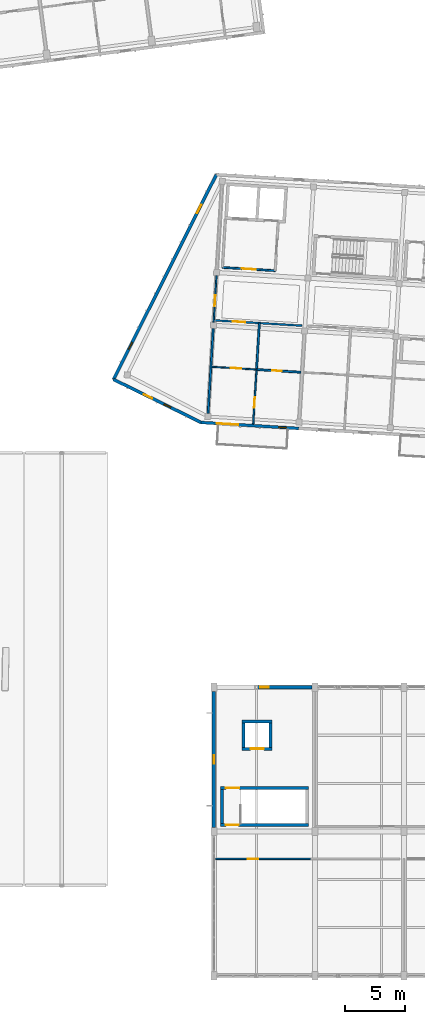
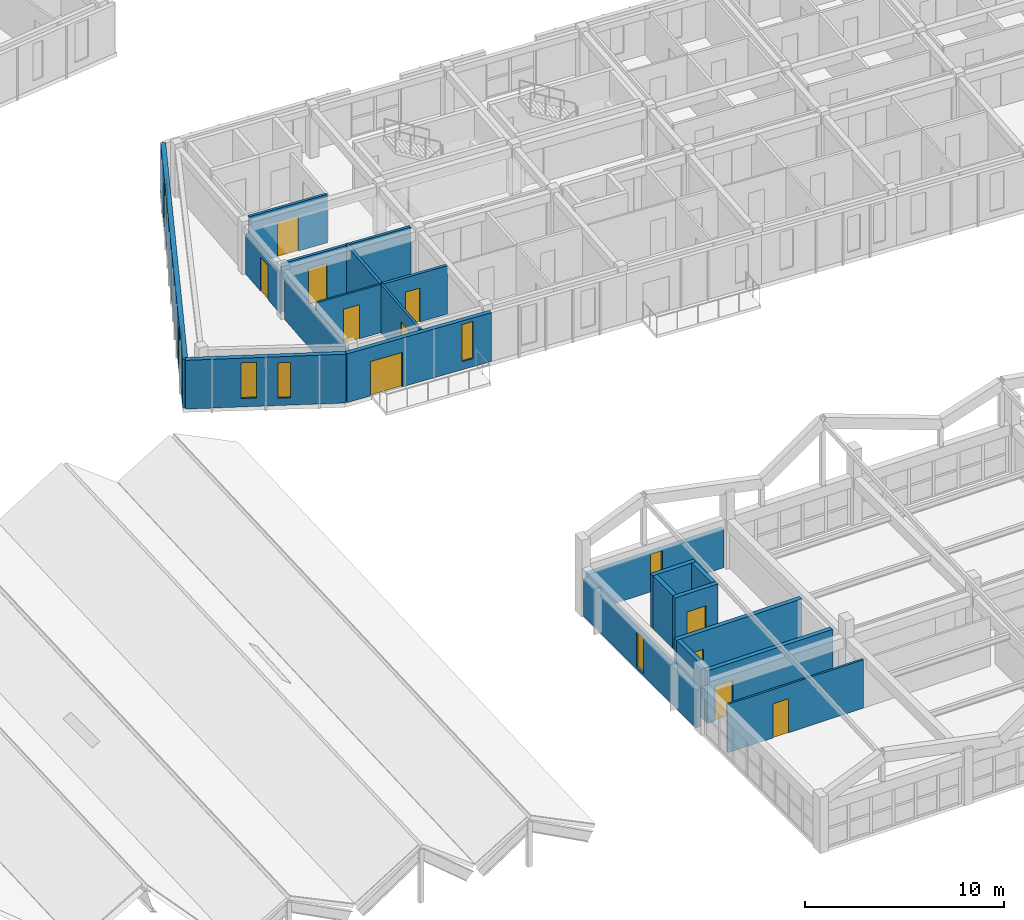
# One storey, part 72 of 127: 21 walls, 11 doors, 7 windows, 18 openings.
"""IFC4 building model written with IfcOpenShell, lengths in metres."""

from ifc_helpers import new_model, si_unit, direction, frame, frame_2d, origin, place, context, subcontext, project, spatial, rectangle, extrude, material, layer, layer_set, type_object, element, fill, save


model = new_model("IFC4")

# Units and contexts
model_context = context("Model", 3, precision=1e-05, world=origin(), true_north=direction((0.0, 1.0)))
body_context = subcontext(model_context, "Body", "Model", "MODEL_VIEW")
ifc_project = project(units=[si_unit("LENGTHUNIT", "METRE"), si_unit("AREAUNIT", "SQUARE_METRE"), si_unit("VOLUMEUNIT", "CUBIC_METRE"), si_unit("PLANEANGLEUNIT", "RADIAN"), si_unit("MASSUNIT", "GRAM", prefix="KILO")], contexts=[model_context])

# Site, building, storey
site_placement = place(None, origin())
site = spatial("IfcSite", under=ifc_project, at=site_placement, CompositionType="ELEMENT")
building_placement = place(site_placement, origin())
building = spatial("IfcBuilding", under=site, at=building_placement, Name="Kestramere Prow Commons", CompositionType="ELEMENT")
storey_placement = place(building_placement, frame((0.0, 0.0, 8.39990234375)))
storey = spatial("IfcBuildingStorey", under=building, at=storey_placement, Name="L02", CompositionType="ELEMENT", Elevation=8.39990234375)

# Wall, opening, window
ifc_material_1 = material(Name="Precast concrete C40/50", Category="concrete")
ifc_layer_1 = layer(ifc_material_1, 0.280029296875)
ifc_layer_set_1 = layer_set([ifc_layer_1], Name="Precast concrete C40/50")
wall_type_1 = type_object("IfcWallType", Name="EW-CIVIC-280", PredefinedType="SOLIDWALL", material=ifc_layer_set_1)
wall_1_placement = place(storey_placement, frame((60.25, 24.0, 0.0), z_axis=(0.0, 0.0, 1.0), x_axis=(1.0, 0.0, 0.0)))
wall_1 = element("IfcWall", 1, at=wall_1_placement, inside=storey, type_object=wall_type_1, Name="Market L02 Core Wall 1", PredefinedType="SOLIDWALL", context=body_context, shape_type="SweptSolid", body=[
    extrude(rectangle(XDim=7.89990234375, YDim=0.280029296875, at=frame_2d((3.949951171875, 0.0))), origin(), (0.0, 0.0, 1.0), 2.340087890625),
])
opening_1_placement = place(wall_1_placement, frame((3.60009765625, 0.0, 0.159912109375)))
opening_1 = element("IfcOpeningElement", 2, at=opening_1_placement, cuts=wall_1, Name="Opening WN-16", PredefinedType="OPENING", context=body_context, shape_type="SweptSolid", body=[
    extrude(rectangle(XDim=0.699951171875, YDim=2.139892578125, at=frame_2d((0.35009765625, 1.06982421875))), frame((0.0, 0.155029296875, 0.0), z_axis=(0.0, -1.0, 0.0), x_axis=(1.0, 0.0, 0.0)), (0.0, 0.0, 1.0), 0.31005859375),
])
ifc_material_2 = material(Name="Low-E Laminated Double Glazing", Category="glass")
window_type_1 = type_object("IfcWindowType", Name="WN-CIV-700", PartitioningType="SINGLE_PANEL", PredefinedType="WINDOW", material=ifc_material_2)
window_1_placement = place(opening_1_placement, origin())
window_1 = element("IfcWindow", 3, at=window_1_placement, inside=storey, type_object=window_type_1, Name="WN-MK-L02-N-0", OverallHeight=2.139892578125, OverallWidth=0.699951171875, PartitioningType="SINGLE_PANEL", PredefinedType="WINDOW", context=body_context, shape_type="SweptSolid", body=[
    extrude(rectangle(XDim=0.699951171875, YDim=2.139892578125, at=frame_2d((0.35009765625, 1.06982421875))), frame((0.0, 0.030029296875, 0.0), z_axis=(0.0, -1.0, 0.0), x_axis=(1.0, 0.0, 0.0)), (0.0, 0.0, 1.0), 0.06005859375),
])
fill(opening_1, window_1)

wall_2_placement = place(storey_placement, frame((60.0, 12.35009765625, 0.0), z_axis=(0.0, 0.0, 1.0), x_axis=(0.0, 1.0, 0.0)))
wall_2 = element("IfcWall", 4, at=wall_2_placement, inside=storey, type_object=wall_type_1, Name="Market L02 W End Wall 2", PredefinedType="SOLIDWALL", context=body_context, shape_type="SweptSolid", body=[
    extrude(rectangle(XDim=11.2998046875, YDim=0.280029296875, at=frame_2d((5.64990234375, 0.0))), origin(), (0.0, 0.0, 1.0), 2.340087890625),
])
opening_2_placement = place(wall_2_placement, frame((5.300048828125, 0.0, 0.159912109375)))
opening_2 = element("IfcOpeningElement", 5, at=opening_2_placement, cuts=wall_2, Name="Opening WN-16", PredefinedType="OPENING", context=body_context, shape_type="SweptSolid", body=[
    extrude(rectangle(XDim=0.699951171875, YDim=2.139892578125, at=frame_2d((0.35009765625, 1.06982421875))), frame((0.0, 0.155029296875, 0.0), z_axis=(0.0, -1.0, 0.0), x_axis=(1.0, 0.0, 0.0)), (0.0, 0.0, 1.0), 0.31005859375),
])
window_2_placement = place(opening_2_placement, origin())
window_2 = element("IfcWindow", 6, at=window_2_placement, inside=storey, type_object=window_type_1, Name="WN-MK-L02-W-1", OverallHeight=2.139892578125, OverallWidth=0.699951171875, PartitioningType="SINGLE_PANEL", PredefinedType="WINDOW", context=body_context, shape_type="SweptSolid", body=[
    extrude(rectangle(XDim=0.699951171875, YDim=2.139892578125, at=frame_2d((0.35009765625, 1.06982421875))), frame((0.0, 0.030029296875, 0.0), z_axis=(0.0, -1.0, 0.0), x_axis=(1.0, 0.0, 0.0)), (0.0, 0.0, 1.0), 0.06005859375),
])
fill(opening_2, window_2)

# Wall, openings, windows
ifc_material_3 = material(Name="Weathered Zinc-Titanium Standing-Seam Cladding")
ifc_layer_2 = layer(ifc_material_3, 0.260009765625)
ifc_layer_set_2 = layer_set([ifc_layer_2], Name="Weathered Zinc-Titanium Standing-Seam Cladding")
wall_type_2 = type_object("IfcWallType", Name="EW-PROW-260", PredefinedType="SOLIDWALL", material=ifc_layer_set_2)
wall_3_placement = place(storey_placement, frame((58.94384765625, 46.008056640625, 0.0), z_axis=(0.0, 0.0, 1.0), x_axis=(-0.897775054318, 0.440454256246, 0.0)))
wall_3 = element("IfcWall", 7, at=wall_3_placement, inside=storey, type_object=wall_type_2, Name="Block C L02 PRW-S Facet Wall", PredefinedType="SOLIDWALL", context=body_context, shape_type="SweptSolid", body=[
    extrude(rectangle(XDim=8.120361328125, YDim=0.260009765625, at=frame_2d((4.06005859375, 0.0))), origin(), (0.0, 0.0, 1.0), 3.0),
])
opening_3_placement = place(wall_3_placement, frame((2.81005859375, 0.0, 0.449951171875)))
opening_3 = element("IfcOpeningElement", 8, at=opening_3_placement, cuts=wall_3, Name="Opening WN-04", PredefinedType="OPENING", context=body_context, shape_type="SweptSolid", body=[
    extrude(rectangle(XDim=0.639892578125, YDim=2.179931640625, at=frame_2d((0.31982421875, 1.08984375))), frame((0.0, 0.14501953125, 0.0), z_axis=(0.0, -1.0, 0.0), x_axis=(1.0, 0.0, 0.0)), (0.0, 0.0, 1.0), 0.2900390625),
])
opening_4_placement = place(wall_3_placement, frame((4.530517578125, 0.0, 0.52001953125)))
opening_4 = element("IfcOpeningElement", 9, at=opening_4_placement, cuts=wall_3, Name="Opening WN-11", PredefinedType="OPENING", context=body_context, shape_type="SweptSolid", body=[
    extrude(rectangle(XDim=0.780029296875, YDim=2.199951171875, at=frame_2d((0.39013671875, 1.10009765625))), frame((0.0, 0.14501953125, 0.0), z_axis=(0.0, -1.0, 0.0), x_axis=(1.0, 0.0, 0.0)), (0.0, 0.0, 1.0), 0.2900390625),
])
window_type_2 = type_object("IfcWindowType", Name="WN-NAR-640A", PartitioningType="SINGLE_PANEL", PredefinedType="WINDOW", material=ifc_material_2)
window_3_placement = place(opening_3_placement, origin())
window_3 = element("IfcWindow", 10, at=window_3_placement, inside=storey, type_object=window_type_2, Name="WN-C-L02-PRW-S-0", OverallHeight=2.179931640625, OverallWidth=0.639892578125, PartitioningType="SINGLE_PANEL", PredefinedType="WINDOW", context=body_context, shape_type="SweptSolid", body=[
    extrude(rectangle(XDim=0.639892578125, YDim=2.179931640625, at=frame_2d((0.31982421875, 1.08984375))), frame((0.0, 0.030029296875, 0.0), z_axis=(0.0, -1.0, 0.0), x_axis=(1.0, 0.0, 0.0)), (0.0, 0.0, 1.0), 0.06005859375),
])
fill(opening_3, window_3)
window_type_3 = type_object("IfcWindowType", Name="WN-NAR-780A", PartitioningType="SINGLE_PANEL", PredefinedType="WINDOW", material=ifc_material_2)
window_4_placement = place(opening_4_placement, origin())
window_4 = element("IfcWindow", 11, at=window_4_placement, inside=storey, type_object=window_type_3, Name="WN-C-L02-PRW-S-1", OverallHeight=2.199951171875, OverallWidth=0.780029296875, PartitioningType="SINGLE_PANEL", PredefinedType="WINDOW", context=body_context, shape_type="SweptSolid", body=[
    extrude(rectangle(XDim=0.780029296875, YDim=2.199951171875, at=frame_2d((0.39013671875, 1.10009765625))), frame((0.0, 0.030029296875, 0.0), z_axis=(0.0, -1.0, 0.0), x_axis=(1.0, 0.0, 0.0)), (0.0, 0.0, 1.0), 0.06005859375),
])
fill(opening_4, window_4)

wall_4_placement = place(storey_placement, frame((51.653564453125, 49.584716796875, 0.0), z_axis=(0.0, 0.0, 1.0), x_axis=(0.448621989068, 0.893721607059, 0.0)))
wall_4 = element("IfcWall", 12, at=wall_4_placement, inside=storey, type_object=wall_type_2, Name="Block C L02 PRW-N Facet Wall", PredefinedType="SOLIDWALL", context=body_context, shape_type="SweptSolid", body=[
    extrude(rectangle(XDim=19.060546875, YDim=0.260009765625, at=frame_2d((9.5302734375, 0.0))), origin(), (0.0, 0.0, 1.0), 3.0),
])
opening_5_placement = place(wall_4_placement, frame((2.81005859375, 0.0, 0.449951171875)))
opening_5 = element("IfcOpeningElement", 13, at=opening_5_placement, cuts=wall_4, Name="Opening WN-04", PredefinedType="OPENING", context=body_context, shape_type="SweptSolid", body=[
    extrude(rectangle(XDim=0.639892578125, YDim=2.179931640625, at=frame_2d((0.31982421875, 1.08984375))), frame((0.0, 0.14501953125, 0.0), z_axis=(0.0, -1.0, 0.0), x_axis=(1.0, 0.0, 0.0)), (0.0, 0.0, 1.0), 0.2900390625),
])
opening_6_placement = place(wall_4_placement, frame((15.470458984375, 0.0, 0.52001953125)))
opening_6 = element("IfcOpeningElement", 14, at=opening_6_placement, cuts=wall_4, Name="Opening WN-11", PredefinedType="OPENING", context=body_context, shape_type="SweptSolid", body=[
    extrude(rectangle(XDim=0.780029296875, YDim=2.199951171875, at=frame_2d((0.39013671875, 1.10009765625))), frame((0.0, 0.14501953125, 0.0), z_axis=(0.0, -1.0, 0.0), x_axis=(1.0, 0.0, 0.0)), (0.0, 0.0, 1.0), 0.2900390625),
])
window_5_placement = place(opening_5_placement, origin())
window_5 = element("IfcWindow", 15, at=window_5_placement, inside=storey, type_object=window_type_2, Name="WN-C-L02-PRW-N-0", OverallHeight=2.179931640625, OverallWidth=0.639892578125, PartitioningType="SINGLE_PANEL", PredefinedType="WINDOW", context=body_context, shape_type="SweptSolid", body=[
    extrude(rectangle(XDim=0.639892578125, YDim=2.179931640625, at=frame_2d((0.31982421875, 1.08984375))), frame((0.0, 0.030029296875, 0.0), z_axis=(0.0, -1.0, 0.0), x_axis=(1.0, 0.0, 0.0)), (0.0, 0.0, 1.0), 0.06005859375),
])
fill(opening_5, window_5)
window_6_placement = place(opening_6_placement, origin())
window_6 = element("IfcWindow", 16, at=window_6_placement, inside=storey, type_object=window_type_3, Name="WN-C-L02-PRW-N-1", OverallHeight=2.199951171875, OverallWidth=0.780029296875, PartitioningType="SINGLE_PANEL", PredefinedType="WINDOW", context=body_context, shape_type="SweptSolid", body=[
    extrude(rectangle(XDim=0.780029296875, YDim=2.199951171875, at=frame_2d((0.39013671875, 1.10009765625))), frame((0.0, 0.030029296875, 0.0), z_axis=(0.0, -1.0, 0.0), x_axis=(1.0, 0.0, 0.0)), (0.0, 0.0, 1.0), 0.06005859375),
])
fill(opening_6, window_6)

# Wall, openings, door, window
ifc_material_4 = material(Name="Fluoropolymer Standing-Seam Zinc-Aluminium Cladding", Category="aluminium")
ifc_layer_3 = layer(ifc_material_4, 0.239990234375)
ifc_layer_set_3 = layer_set([ifc_layer_3], Name="Fluoropolymer Standing-Seam Zinc-Aluminium Cladding")
wall_type_3 = type_object("IfcWallType", Name="EW-SEAM-240", PredefinedType="SOLIDWALL", material=ifc_layer_set_3)
wall_5_placement = place(storey_placement, frame((67.0537109375, 45.511962890625, 0.0), z_axis=(0.0, 0.0, 1.0), x_axis=(-0.998134248939, 0.061057522844, 0.0)))
wall_5 = element("IfcWall", 17, at=wall_5_placement, inside=storey, type_object=wall_type_3, Name="Block C L02 South Standing-Seam Wall 1", PredefinedType="SOLIDWALL", context=body_context, shape_type="SweptSolid", body=[
    extrude(rectangle(XDim=8.125, YDim=0.239990234375, at=frame_2d((4.0625, 0.0))), origin(), (0.0, 0.0, 1.0), 3.0),
])
opening_7_placement = place(wall_5_placement, frame((5.01904296875, 0.0, 0.0)))
opening_7 = element("IfcOpeningElement", 18, at=opening_7_placement, cuts=wall_5, Name="Opening GD-BAL-02", PredefinedType="OPENING", context=body_context, shape_type="SweptSolid", body=[
    extrude(rectangle(XDim=1.800048828125, YDim=2.1201171875, at=frame_2d((0.89990234375, 1.06005859375))), frame((0.0, 0.135009765625, 0.0), z_axis=(0.0, -1.0, 0.0), x_axis=(1.0, 0.0, 0.0)), (0.0, 0.0, 1.0), 0.27001953125),
])
opening_8_placement = place(wall_5_placement, frame((1.030029296875, 0.0, 0.5)))
opening_8 = element("IfcOpeningElement", 19, at=opening_8_placement, cuts=wall_5, Name="Opening WN-03", PredefinedType="OPENING", context=body_context, shape_type="SweptSolid", body=[
    extrude(rectangle(XDim=0.6201171875, YDim=2.280029296875, at=frame_2d((0.31005859375, 1.14013671875))), frame((0.0, 0.135009765625, 0.0), z_axis=(0.0, -1.0, 0.0), x_axis=(1.0, 0.0, 0.0)), (0.0, 0.0, 1.0), 0.27001953125),
])
ifc_material_5 = material(Name="Thermally-Broken Anodised Aluminium Glazed", Category="aluminium")
door_type_1 = type_object("IfcDoorType", Name="GD-BAL-1800", OperationType="SLIDING_TO_LEFT", PredefinedType="DOOR", material=ifc_material_5)
door_1_placement = place(opening_7_placement, origin())
door_1 = element("IfcDoor", 20, at=door_1_placement, inside=storey, type_object=door_type_1, Name="Block C L02 Balcony Door 1", OperationType="SLIDING_TO_LEFT", OverallHeight=2.1201171875, OverallWidth=1.800048828125, PredefinedType="DOOR", context=body_context, shape_type="SweptSolid", body=[
    extrude(rectangle(XDim=1.800048828125, YDim=2.1201171875, at=frame_2d((0.89990234375, 1.06005859375))), frame((0.0, 0.02490234375, 0.0), z_axis=(0.0, -1.0, 0.0), x_axis=(1.0, 0.0, 0.0)), (0.0, 0.0, 1.0), 0.050048828125),
])
fill(opening_7, door_1)
window_type_4 = type_object("IfcWindowType", Name="WN-NAR-620A", PartitioningType="SINGLE_PANEL", PredefinedType="WINDOW", material=ifc_material_2)
window_7_placement = place(opening_8_placement, origin())
window_7 = element("IfcWindow", 21, at=window_7_placement, inside=storey, type_object=window_type_4, Name="WN-C-L02-SR-0", OverallHeight=2.280029296875, OverallWidth=0.6201171875, PartitioningType="SINGLE_PANEL", PredefinedType="WINDOW", context=body_context, shape_type="SweptSolid", body=[
    extrude(rectangle(XDim=0.6201171875, YDim=2.280029296875, at=frame_2d((0.31005859375, 1.14013671875))), frame((0.0, 0.030029296875, 0.0), z_axis=(0.0, -1.0, 0.0), x_axis=(1.0, 0.0, 0.0)), (0.0, 0.0, 1.0), 0.06005859375),
])
fill(opening_8, window_7)

# Wall, opening, door
ifc_material_6 = material(Name="Concrete C40/50", Category="concrete")
ifc_layer_4 = layer(ifc_material_6, 0.25)
ifc_layer_set_4 = layer_set([ifc_layer_4], Name="Concrete C40/50")
wall_type_4 = type_object("IfcWallType", Name="W-CORE-250", PredefinedType="SHEAR", material=ifc_layer_set_4)
wall_6_placement = place(storey_placement, frame((60.550048828125, 12.52490234375, 0.0), z_axis=(0.0, 0.0, 1.0), x_axis=(1.0, 0.0, 0.0)))
wall_6 = element("IfcWall", 22, at=wall_6_placement, inside=storey, type_object=wall_type_4, Name="SW-ST-M1-L02-L", PredefinedType="SHEAR", context=body_context, shape_type="SweptSolid", body=[
    extrude(rectangle(XDim=7.300048828125, YDim=0.25, at=frame_2d((3.64990234375, 0.0))), origin(), (0.0, 0.0, 1.0), 3.25),
])
opening_9_placement = place(wall_6_placement, frame((0.449951171875, 0.0, 0.0)))
opening_9 = element("IfcOpeningElement", 23, at=opening_9_placement, cuts=wall_6, Name="Opening ID-01", PredefinedType="OPENING", context=body_context, shape_type="SweptSolid", body=[
    extrude(rectangle(XDim=1.050048828125, YDim=2.14990234375, at=frame_2d((0.52490234375, 1.074951171875))), frame((0.0, 0.139892578125, 0.0), z_axis=(0.0, -1.0, 0.0), x_axis=(1.0, 0.0, 0.0)), (0.0, 0.0, 1.0), 0.280029296875),
])
ifc_material_7 = material(Name="Fire-Rated Timber and Steel Frame", Category="steel")
door_type_2 = type_object("IfcDoorType", Name="FD-ST-01", OperationType="NOTDEFINED", PredefinedType="DOOR", material=ifc_material_7)
door_2_placement = place(opening_9_placement, origin())
door_2 = element("IfcDoor", 24, at=door_2_placement, inside=storey, type_object=door_type_2, Name="ST-M1 L02 Protected Stair Door", OperationType="SINGLE_SWING_RIGHT", OverallHeight=2.14990234375, OverallWidth=1.050048828125, PredefinedType="DOOR", context=body_context, shape_type="SweptSolid", body=[
    extrude(rectangle(XDim=1.050048828125, YDim=2.14990234375, at=frame_2d((0.52490234375, 1.074951171875))), frame((0.0, 0.02490234375, 0.0), z_axis=(0.0, -1.0, 0.0), x_axis=(1.0, 0.0, 0.0)), (0.0, 0.0, 1.0), 0.050048828125),
])
fill(opening_9, door_2)

wall_7_placement = place(storey_placement, frame((60.550048828125, 15.625, 0.0), z_axis=(0.0, 0.0, 1.0), x_axis=(1.0, 0.0, 0.0)))
wall_7 = element("IfcWall", 25, at=wall_7_placement, inside=storey, type_object=wall_type_4, Name="SW-ST-M1-L02-R", PredefinedType="SHEAR", context=body_context, shape_type="SweptSolid", body=[
    extrude(rectangle(XDim=7.300048828125, YDim=0.25, at=frame_2d((3.64990234375, 0.0))), origin(), (0.0, 0.0, 1.0), 3.25),
])
opening_10_placement = place(wall_7_placement, frame((0.449951171875, 0.0, 0.0)))
opening_10 = element("IfcOpeningElement", 26, at=opening_10_placement, cuts=wall_7, Name="Opening ID-02", PredefinedType="OPENING", context=body_context, shape_type="SweptSolid", body=[
    extrude(rectangle(XDim=1.1201171875, YDim=2.14990234375, at=frame_2d((0.56005859375, 1.074951171875))), frame((0.0, 0.139892578125, 0.0), z_axis=(0.0, -1.0, 0.0), x_axis=(1.0, 0.0, 0.0)), (0.0, 0.0, 1.0), 0.280029296875),
])
door_type_3 = type_object("IfcDoorType", Name="FD-ST-02", OperationType="NOTDEFINED", PredefinedType="DOOR", material=ifc_material_7)
door_3_placement = place(opening_10_placement, origin())
door_3 = element("IfcDoor", 27, at=door_3_placement, inside=storey, type_object=door_type_3, Name="ST-M1 L02 Lobby/Exit Stair Door", OperationType="SINGLE_SWING_RIGHT", OverallHeight=2.14990234375, OverallWidth=1.1201171875, PredefinedType="DOOR", context=body_context, shape_type="SweptSolid", body=[
    extrude(rectangle(XDim=1.1201171875, YDim=2.14990234375, at=frame_2d((0.56005859375, 1.074951171875))), frame((0.0, 0.02490234375, 0.0), z_axis=(0.0, -1.0, 0.0), x_axis=(1.0, 0.0, 0.0)), (0.0, 0.0, 1.0), 0.050048828125),
])
fill(opening_10, door_3)

# Walls
wall_8_placement = place(storey_placement, frame((60.675048828125, 12.64990234375, 0.0), z_axis=(0.0, 0.0, 1.0), x_axis=(0.0, 1.0, 0.0)))
element("IfcWall", 28, at=wall_8_placement, inside=storey, type_object=wall_type_4, Name="SW-ST-M1-L02-N", PredefinedType="SHEAR", context=body_context, shape_type="SweptSolid", body=[
    extrude(rectangle(XDim=2.85009765625, YDim=0.25, at=frame_2d((1.425048828125, 0.0))), origin(), (0.0, 0.0, 1.0), 3.25),
])
wall_9_placement = place(storey_placement, frame((62.35009765625, 21.125, 0.0), z_axis=(0.0, 0.0, 1.0), x_axis=(1.0, 0.0, 0.0)))
element("IfcWall", 29, at=wall_9_placement, inside=storey, type_object=wall_type_4, Name="CW-PLS1-L02-N", PredefinedType="SHEAR", context=body_context, shape_type="SweptSolid", body=[
    extrude(rectangle(XDim=2.5, YDim=0.25, at=frame_2d((1.25, 0.0))), origin(), (0.0, 0.0, 1.0), 3.25),
])

# Wall, opening, door
wall_10_placement = place(storey_placement, frame((62.35009765625, 18.875, 0.0), z_axis=(0.0, 0.0, 1.0), x_axis=(1.0, 0.0, 0.0)))
wall_10 = element("IfcWall", 30, at=wall_10_placement, inside=storey, type_object=wall_type_4, Name="CW-PLS1-L02-S", PredefinedType="SHEAR", context=body_context, shape_type="SweptSolid", body=[
    extrude(rectangle(XDim=2.5, YDim=0.25, at=frame_2d((1.25, 0.0))), origin(), (0.0, 0.0, 1.0), 3.25),
])
opening_11_placement = place(wall_10_placement, frame((0.699951171875, 0.0, 0.0)))
opening_11 = element("IfcOpeningElement", 31, at=opening_11_placement, cuts=wall_10, Name="Opening LD-01", PredefinedType="OPENING", context=body_context, shape_type="SweptSolid", body=[
    extrude(rectangle(XDim=1.10009765625, YDim=2.14990234375, at=frame_2d((0.550048828125, 1.074951171875))), frame((0.0, 0.139892578125, 0.0), z_axis=(0.0, -1.0, 0.0), x_axis=(1.0, 0.0, 0.0)), (0.0, 0.0, 1.0), 0.280029296875),
])
ifc_material_8 = material(Name="Brushed Stainless Steel 304", Category="steel")
door_type_4 = type_object("IfcDoorType", Name="LD-01", OperationType="DOUBLE_DOOR_SLIDING", PredefinedType="DOOR", material=ifc_material_8)
door_4_placement = place(opening_11_placement, origin())
door_4 = element("IfcDoor", 32, at=door_4_placement, inside=storey, type_object=door_type_4, Name="PL-S1 L02 Lift Landing Door", OperationType="DOUBLE_DOOR_SLIDING", OverallHeight=2.14990234375, OverallWidth=1.10009765625, PredefinedType="DOOR", context=body_context, shape_type="SweptSolid", body=[
    extrude(rectangle(XDim=1.10009765625, YDim=2.14990234375, at=frame_2d((0.550048828125, 1.074951171875))), frame((0.0, 0.02490234375, 0.0), z_axis=(0.0, -1.0, 0.0), x_axis=(1.0, 0.0, 0.0)), (0.0, 0.0, 1.0), 0.050048828125),
])
fill(opening_11, door_4)

# Walls
for number, where, z_axis, x_axis, name in (
    (33, (62.47509765625, 19.0, 0.0), (0.0, 0.0, 1.0), (0.0, 1.0, 0.0), "CW-PLS1-L02-W"),
    (34, (64.72509765625, 19.0, 0.0), (0.0, 0.0, 1.0), (0.0, 1.0, 0.0), "CW-PLS1-L02-E"),
):
    element("IfcWall", number, at=place(storey_placement, frame(where, z_axis=z_axis, x_axis=x_axis)), inside=storey, type_object=wall_type_4, Name=name, PredefinedType="SHEAR", context=body_context, shape_type="SweptSolid", body=[
        extrude(rectangle(XDim=2.0, YDim=0.25, at=frame_2d((1.0, 0.0))), origin(), (0.0, 0.0, 1.0), 3.25),
    ])

# Wall, opening, door
ifc_material_9 = material(Name="Fire-Rated Calcium Silicate Wall")
ifc_layer_5 = layer(ifc_material_9, 0.155029296875)
ifc_layer_set_5 = layer_set([ifc_layer_5], Name="Fire-Rated Calcium Silicate Wall")
wall_type_5 = type_object("IfcWallType", Name="W-FIRE-150", PredefinedType="PARTITIONING", material=ifc_layer_set_5)
wall_11_placement = place(storey_placement, frame((60.709228515625, 58.8994140625, 0.0), z_axis=(0.0, 0.0, 1.0), x_axis=(0.998132276607, -0.061089756882, 0.0)))
wall_11 = element("IfcWall", 35, at=wall_11_placement, inside=storey, type_object=wall_type_5, Name="Interior Partition PW-C-L02-FFL-S", PredefinedType="PARTITIONING", context=body_context, shape_type="SweptSolid", body=[
    extrude(rectangle(XDim=4.400146484375, YDim=0.155029296875, at=frame_2d((2.2001953125, 0.0))), origin(), (0.0, 0.0, 1.0), 2.97021484375),
])
opening_12_placement = place(wall_11_placement, frame((1.60009765625, 0.0, 0.0)))
opening_12 = element("IfcOpeningElement", 36, at=opening_12_placement, cuts=wall_11, Name="Opening ID-03", PredefinedType="OPENING", context=body_context, shape_type="SweptSolid", body=[
    extrude(rectangle(XDim=1.179931640625, YDim=2.14990234375, at=frame_2d((0.58984375, 1.074951171875))), frame((0.0, 0.092529296875, 0.0), z_axis=(0.0, -1.0, 0.0), x_axis=(1.0, 0.0, 0.0)), (0.0, 0.0, 1.0), 0.18505859375),
])
ifc_material_10 = material(Name="Fire-Rated Glazed Smoke-Stop Door")
door_type_5 = type_object("IfcDoorType", Name="FD-LB-01", OperationType="NOTDEFINED", PredefinedType="DOOR", material=ifc_material_10)
door_5_placement = place(opening_12_placement, origin())
door_5 = element("IfcDoor", 37, at=door_5_placement, inside=storey, type_object=door_type_5, Name="Interior Door DR-C-L02-FFL", OperationType="SINGLE_SWING_LEFT", OverallHeight=2.14990234375, OverallWidth=1.179931640625, PredefinedType="DOOR", context=body_context, shape_type="SweptSolid", body=[
    extrude(rectangle(XDim=1.179931640625, YDim=2.14990234375, at=frame_2d((0.58984375, 1.074951171875))), frame((0.0, 0.02490234375, 0.0), z_axis=(0.0, -1.0, 0.0), x_axis=(1.0, 0.0, 0.0)), (0.0, 0.0, 1.0), 0.050048828125),
])
fill(opening_12, door_5)

wall_12_placement = place(storey_placement, frame((60.0595703125, 54.500732421875, 0.0), z_axis=(0.0, 0.0, 1.0), x_axis=(0.998134543433, -0.06105270843, 0.0)))
wall_12 = element("IfcWall", 38, at=wall_12_placement, inside=storey, type_object=wall_type_5, Name="Interior Partition PW-C-L02-CS-0", PredefinedType="PARTITIONING", context=body_context, shape_type="SweptSolid", body=[
    extrude(rectangle(XDim=7.27001953125, YDim=0.155029296875, at=frame_2d((3.635009765625, 0.0))), origin(), (0.0, 0.0, 1.0), 2.97021484375),
])
opening_13_placement = place(wall_12_placement, frame((1.52001953125, 0.0, 0.0)))
opening_13 = element("IfcOpeningElement", 39, at=opening_13_placement, cuts=wall_12, Name="Opening ID-05", PredefinedType="OPENING", context=body_context, shape_type="SweptSolid", body=[
    extrude(rectangle(XDim=1.02001953125, YDim=2.199951171875, at=frame_2d((0.510009765625, 1.10009765625))), frame((0.0, 0.092529296875, 0.0), z_axis=(0.0, -1.0, 0.0), x_axis=(1.0, 0.0, 0.0)), (0.0, 0.0, 1.0), 0.18505859375),
])
ifc_material_11 = material(Name="Hardwood Fire-Rated Flat Entrance Door", Category="wood")
door_type_6 = type_object("IfcDoorType", Name="FD-ENT-02", OperationType="NOTDEFINED", PredefinedType="DOOR", material=ifc_material_11)
door_6_placement = place(opening_13_placement, origin())
door_6 = element("IfcDoor", 40, at=door_6_placement, inside=storey, type_object=door_type_6, Name="Interior Door DR-C-L02-ENT-S0", OperationType="SINGLE_SWING_LEFT", OverallHeight=2.199951171875, OverallWidth=1.02001953125, PredefinedType="DOOR", context=body_context, shape_type="SweptSolid", body=[
    extrude(rectangle(XDim=1.02001953125, YDim=2.199951171875, at=frame_2d((0.510009765625, 1.10009765625))), frame((0.0, 0.02490234375, 0.0), z_axis=(0.0, -1.0, 0.0), x_axis=(1.0, 0.0, 0.0)), (0.0, 0.0, 1.0), 0.050048828125),
])
fill(opening_13, door_6)

ifc_material_12 = material(Name="Gypsum Acoustic Drywall")
ifc_layer_6 = layer(ifc_material_12, 0.110107421875)
ifc_layer_set_6 = layer_set([ifc_layer_6], Name="Gypsum Acoustic Drywall")
wall_type_6 = type_object("IfcWallType", Name="W-PART-110", PredefinedType="PARTITIONING", material=ifc_layer_set_6)
wall_13_placement = place(storey_placement, frame((59.84326171875, 50.63671875, 0.0), z_axis=(0.0, 0.0, 1.0), x_axis=(0.998133408508, -0.061071260176, 0.0)))
wall_13 = element("IfcWall", 41, at=wall_13_placement, inside=storey, type_object=wall_type_6, Name="Interior Partition PW-C-L02-MIDS1-0", PredefinedType="PARTITIONING", context=body_context, shape_type="SweptSolid", body=[
    extrude(rectangle(XDim=3.709716796875, YDim=0.110107421875, at=frame_2d((1.85498046875, 0.0))), origin(), (0.0, 0.0, 1.0), 2.97021484375),
])
opening_14_placement = place(wall_13_placement, frame((1.550048828125, 0.0, 0.0)))
opening_14 = element("IfcOpeningElement", 42, at=opening_14_placement, cuts=wall_13, Name="Opening ID-08", PredefinedType="OPENING", context=body_context, shape_type="SweptSolid", body=[
    extrude(rectangle(XDim=0.89990234375, YDim=2.10009765625, at=frame_2d((0.449951171875, 1.050048828125))), frame((0.0, 0.070068359375, 0.0), z_axis=(0.0, -1.0, 0.0), x_axis=(1.0, 0.0, 0.0)), (0.0, 0.0, 1.0), 0.14013671875),
])
ifc_material_13 = material(Name="Engineered Timber Flush Door", Category="wood")
door_type_7 = type_object("IfcDoorType", Name="D-RM-01", OperationType="NOTDEFINED", PredefinedType="DOOR", material=ifc_material_13)
door_7_placement = place(opening_14_placement, origin())
door_7 = element("IfcDoor", 43, at=door_7_placement, inside=storey, type_object=door_type_7, Name="Interior Door DR-C-L02-KL-S0", OperationType="SINGLE_SWING_RIGHT", OverallHeight=2.10009765625, OverallWidth=0.89990234375, PredefinedType="DOOR", context=body_context, shape_type="SweptSolid", body=[
    extrude(rectangle(XDim=0.89990234375, YDim=2.10009765625, at=frame_2d((0.449951171875, 1.050048828125))), frame((0.0, 0.02490234375, 0.0), z_axis=(0.0, -1.0, 0.0), x_axis=(1.0, 0.0, 0.0)), (0.0, 0.0, 1.0), 0.050048828125),
])
fill(opening_14, door_7)

ifc_material_14 = material(Name="Lightweight Blockwork and Plaster", Category="masonry")
ifc_layer_7 = layer(ifc_material_14, 0.1201171875)
ifc_layer_set_7 = layer_set([ifc_layer_7], Name="Lightweight Blockwork and Plaster")
wall_type_7 = type_object("IfcWallType", Name="W-PART-120", PredefinedType="PARTITIONING", material=ifc_layer_set_7)
wall_14_placement = place(storey_placement, frame((60.14990234375, 9.719970703125, 0.0), z_axis=(0.0, 0.0, 1.0), x_axis=(1.0, 0.0, 0.0)))
wall_14 = element("IfcWall", 44, at=wall_14_placement, inside=storey, type_object=wall_type_7, Name="Interior Partition PW-MK-L02-CS-0", PredefinedType="PARTITIONING", context=body_context, shape_type="SweptSolid", body=[
    extrude(rectangle(XDim=7.900146484375, YDim=0.1201171875, at=frame_2d((3.9501953125, 0.0))), origin(), (0.0, 0.0, 1.0), 2.97998046875),
])
opening_15_placement = place(wall_14_placement, frame((2.64990234375, 0.0, 0.0)))
opening_15 = element("IfcOpeningElement", 45, at=opening_15_placement, cuts=wall_14, Name="Opening ID-08", PredefinedType="OPENING", context=body_context, shape_type="SweptSolid", body=[
    extrude(rectangle(XDim=0.89990234375, YDim=2.10009765625, at=frame_2d((0.449951171875, 1.050048828125))), frame((0.0, 0.074951171875, 0.0), z_axis=(0.0, -1.0, 0.0), x_axis=(1.0, 0.0, 0.0)), (0.0, 0.0, 1.0), 0.150146484375),
])
door_8_placement = place(opening_15_placement, origin())
door_8 = element("IfcDoor", 46, at=door_8_placement, inside=storey, type_object=door_type_7, Name="Interior Door DR-MK-L02-S-0", OperationType="SINGLE_SWING_LEFT", OverallHeight=2.10009765625, OverallWidth=0.89990234375, PredefinedType="DOOR", context=body_context, shape_type="SweptSolid", body=[
    extrude(rectangle(XDim=0.89990234375, YDim=2.10009765625, at=frame_2d((0.449951171875, 1.050048828125))), frame((0.0, 0.02490234375, 0.0), z_axis=(0.0, -1.0, 0.0), x_axis=(1.0, 0.0, 0.0)), (0.0, 0.0, 1.0), 0.050048828125),
])
fill(opening_15, door_8)

wall_15_placement = place(storey_placement, frame((59.979736328125, 54.345458984375, 0.0), z_axis=(0.0, 0.0, 1.0), x_axis=(0.061101107425, 0.998131581843, 0.0)))
wall_15 = element("IfcWall", 47, at=wall_15_placement, inside=storey, type_object=wall_type_7, Name="Interior Partition PW-C-L02-PROW-ACC", PredefinedType="PARTITIONING", context=body_context, shape_type="SweptSolid", body=[
    extrude(rectangle(XDim=3.8798828125, YDim=0.1201171875, at=frame_2d((1.93994140625, 0.0))), origin(), (0.0, 0.0, 1.0), 2.5),
])
opening_16_placement = place(wall_15_placement, frame((1.35009765625, 0.0, 0.0)))
opening_16 = element("IfcOpeningElement", 48, at=opening_16_placement, cuts=wall_15, Name="Opening ID-10", PredefinedType="OPENING", context=body_context, shape_type="SweptSolid", body=[
    extrude(rectangle(XDim=0.8798828125, YDim=2.10009765625, at=frame_2d((0.43994140625, 1.050048828125))), frame((0.0, 0.074951171875, 0.0), z_axis=(0.0, -1.0, 0.0), x_axis=(1.0, 0.0, 0.0)), (0.0, 0.0, 1.0), 0.150146484375),
])
ifc_material_15 = material(Name="Engineered Timber Bedroom Door", Category="wood")
door_type_8 = type_object("IfcDoorType", Name="D-RM-03", OperationType="NOTDEFINED", PredefinedType="DOOR", material=ifc_material_15)
door_9_placement = place(opening_16_placement, origin())
door_9 = element("IfcDoor", 49, at=door_9_placement, inside=storey, type_object=door_type_8, Name="Interior Door DR-C-L02-PROW", OperationType="SINGLE_SWING_LEFT", OverallHeight=2.10009765625, OverallWidth=0.8798828125, PredefinedType="DOOR", context=body_context, shape_type="SweptSolid", body=[
    extrude(rectangle(XDim=0.8798828125, YDim=2.10009765625, at=frame_2d((0.43994140625, 1.050048828125))), frame((0.0, 0.02490234375, 0.0), z_axis=(0.0, -1.0, 0.0), x_axis=(1.0, 0.0, 0.0)), (0.0, 0.0, 1.0), 0.050048828125),
])
fill(opening_16, door_9)

ifc_layer_8 = layer(ifc_material_14, 0.1298828125)
ifc_layer_set_8 = layer_set([ifc_layer_8], Name="Lightweight Blockwork and Plaster")
wall_type_8 = type_object("IfcWallType", Name="W-PART-130", PredefinedType="PARTITIONING", material=ifc_layer_set_8)
wall_16_placement = place(storey_placement, frame((63.26904296875, 45.878662109375, 0.0), z_axis=(0.0, 0.0, 1.0), x_axis=(0.061035713941, 0.998135582786, 0.0)))
wall_16 = element("IfcWall", 50, at=wall_16_placement, inside=storey, type_object=wall_type_8, Name="Interior Partition PW-C-L02-LB-S0", PredefinedType="PARTITIONING", context=body_context, shape_type="SweptSolid", body=[
    extrude(rectangle(XDim=4.5400390625, YDim=0.1298828125, at=frame_2d((2.27001953125, 0.0))), origin(), (0.0, 0.0, 1.0), 2.97021484375),
])
opening_17_placement = place(wall_16_placement, frame((1.35009765625, 0.0, 0.0)))
opening_17 = element("IfcOpeningElement", 51, at=opening_17_placement, cuts=wall_16, Name="Opening ID-10", PredefinedType="OPENING", context=body_context, shape_type="SweptSolid", body=[
    extrude(rectangle(XDim=0.8798828125, YDim=2.10009765625, at=frame_2d((0.43994140625, 1.050048828125))), frame((0.0, 0.079833984375, 0.0), z_axis=(0.0, -1.0, 0.0), x_axis=(1.0, 0.0, 0.0)), (0.0, 0.0, 1.0), 0.159912109375),
])
door_10_placement = place(opening_17_placement, origin())
door_10 = element("IfcDoor", 52, at=door_10_placement, inside=storey, type_object=door_type_8, Name="Interior Door DR-C-L02-BED-S0", OperationType="SINGLE_SWING_LEFT", OverallHeight=2.10009765625, OverallWidth=0.8798828125, PredefinedType="DOOR", context=body_context, shape_type="SweptSolid", body=[
    extrude(rectangle(XDim=0.8798828125, YDim=2.10009765625, at=frame_2d((0.43994140625, 1.050048828125))), frame((0.0, 0.02490234375, 0.0), z_axis=(0.0, -1.0, 0.0), x_axis=(1.0, 0.0, 0.0)), (0.0, 0.0, 1.0), 0.050048828125),
])
fill(opening_17, door_10)

# Wall
ifc_material_16 = material(Name="Waterproof Sanitary Masonry Wall", Category="masonry")
ifc_layer_9 = layer(ifc_material_16, 0.1650390625)
ifc_layer_set_9 = layer_set([ifc_layer_9], Name="Waterproof Sanitary Masonry Wall")
wall_type_9 = type_object("IfcWallType", Name="W-PLUMB-150", PredefinedType="PLUMBINGWALL", material=ifc_layer_set_9)
wall_17_placement = place(storey_placement, frame((59.515869140625, 46.759521484375, 0.0), z_axis=(0.0, 0.0, 1.0), x_axis=(0.061034344288, 0.998135666539, 0.0)))
element("IfcWall", 53, at=wall_17_placement, inside=storey, type_object=wall_type_9, Name="Interior Partition PW-C-L02-PRWW-S", PredefinedType="PLUMBINGWALL", context=body_context, shape_type="SweptSolid", body=[
    extrude(rectangle(XDim=7.080078125, YDim=0.1650390625, at=frame_2d((3.5400390625, 0.0))), origin(), (0.0, 0.0, 1.0), 2.5),
])

# Wall, opening, door
wall_18_placement = place(storey_placement, frame((63.546142578125, 50.41015625, 0.0), z_axis=(0.0, 0.0, 1.0), x_axis=(0.998136719672, -0.061017119263, 0.0)))
wall_18 = element("IfcWall", 54, at=wall_18_placement, inside=storey, type_object=wall_type_9, Name="Interior Partition PW-C-L02-MIDS2-0", PredefinedType="PLUMBINGWALL", context=body_context, shape_type="SweptSolid", body=[
    extrude(rectangle(XDim=3.68505859375, YDim=0.1650390625, at=frame_2d((1.842529296875, 0.0))), origin(), (0.0, 0.0, 1.0), 2.97021484375),
])
opening_18_placement = place(wall_18_placement, frame((1.300048828125, 0.0, 0.0)))
opening_18 = element("IfcOpeningElement", 55, at=opening_18_placement, cuts=wall_18, Name="Opening ID-11", PredefinedType="OPENING", context=body_context, shape_type="SweptSolid", body=[
    extrude(rectangle(XDim=0.820068359375, YDim=2.080078125, at=frame_2d((0.41015625, 1.0400390625))), frame((0.0, 0.097412109375, 0.0), z_axis=(0.0, -1.0, 0.0), x_axis=(1.0, 0.0, 0.0)), (0.0, 0.0, 1.0), 0.195068359375),
])
ifc_material_17 = material(Name="Moisture-Resistant Timber Bathroom Door", Category="wood")
door_type_9 = type_object("IfcDoorType", Name="D-BT-01", OperationType="NOTDEFINED", PredefinedType="DOOR", material=ifc_material_17)
door_11_placement = place(opening_18_placement, origin())
door_11 = element("IfcDoor", 56, at=door_11_placement, inside=storey, type_object=door_type_9, Name="Interior Door DR-C-L02-BTH-S0", OperationType="SINGLE_SWING_LEFT", OverallHeight=2.080078125, OverallWidth=0.820068359375, PredefinedType="DOOR", context=body_context, shape_type="SweptSolid", body=[
    extrude(rectangle(XDim=0.820068359375, YDim=2.080078125, at=frame_2d((0.41015625, 1.0400390625))), frame((0.0, 0.02490234375, 0.0), z_axis=(0.0, -1.0, 0.0), x_axis=(1.0, 0.0, 0.0)), (0.0, 0.0, 1.0), 0.050048828125),
])
fill(opening_18, door_11)

# Wall
wall_19_placement = place(storey_placement, frame((63.546142578125, 50.41015625, 0.0), z_axis=(0.0, 0.0, 1.0), x_axis=(0.061066453301, 0.998133702608, 0.0)))
element("IfcWall", 57, at=wall_19_placement, inside=storey, type_object=wall_type_9, Name="Interior Partition PW-C-L02-KB-S0", PredefinedType="PLUMBINGWALL", context=body_context, shape_type="SweptSolid", body=[
    extrude(rectangle(XDim=3.8701171875, YDim=0.1650390625, at=frame_2d((1.93505859375, 0.0))), origin(), (0.0, 0.0, 1.0), 2.97021484375),
])

save(model, "model.ifc")
